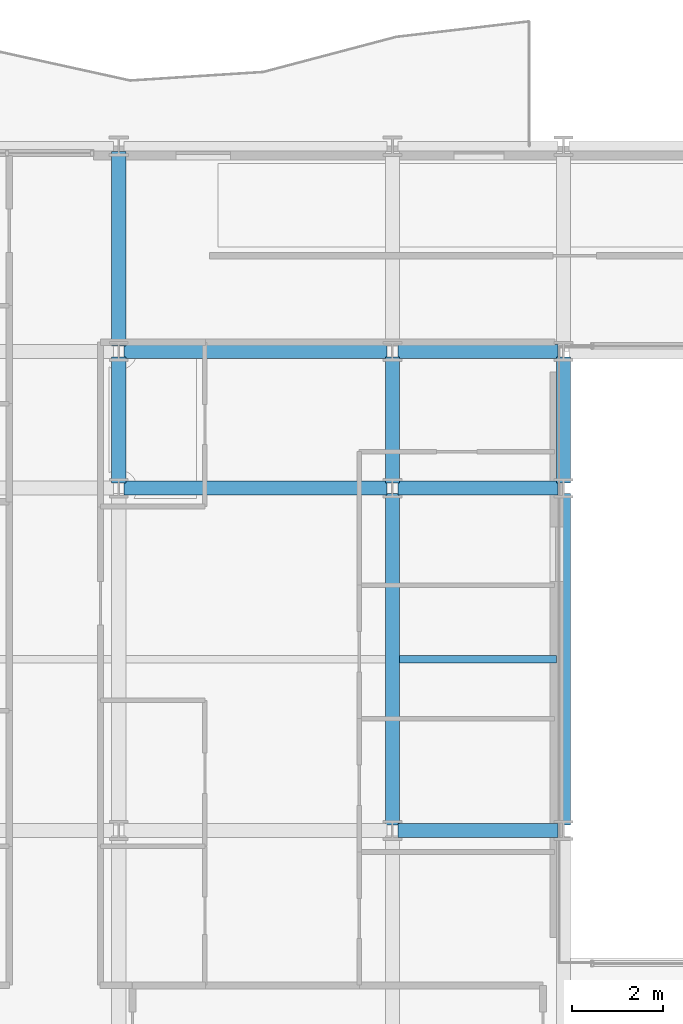
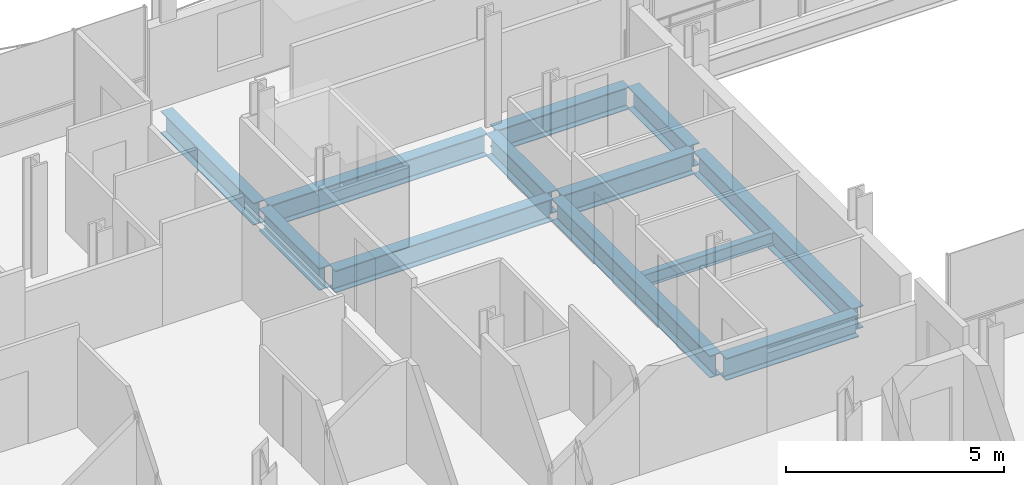
# One storey, part 8 of 41: 12 beams.
"""IFC4 building model written with IfcOpenShell, lengths in metres."""

from ifc_helpers import new_model, si_unit, direction, frame, origin, origin_2d, place, context, subcontext, project, spatial, i_section, extrude, material, material_profile, profile_set, type_object, element, save


model = new_model("IFC4")

# Units and contexts
model_context = context("Model", 3, precision=1e-05, world=origin(), true_north=direction((0.0, 1.0)))
body_context = subcontext(model_context, "Body", "Model", "MODEL_VIEW")
ifc_project = project(units=[si_unit("LENGTHUNIT", "METRE"), si_unit("AREAUNIT", "SQUARE_METRE"), si_unit("VOLUMEUNIT", "CUBIC_METRE"), si_unit("PLANEANGLEUNIT", "RADIAN"), si_unit("MASSUNIT", "GRAM", prefix="KILO")], contexts=[model_context])

# Site, building, storey
site_placement = place(None, origin())
site = spatial("IfcSite", under=ifc_project, at=site_placement, CompositionType="ELEMENT")
building_placement = place(site_placement, origin())
building = spatial("IfcBuilding", under=site, at=building_placement, Name="Brevholm Reach", CompositionType="ELEMENT")
storey_placement = place(building_placement, frame((0.0, 0.0, 74.5)))
storey = spatial("IfcBuildingStorey", under=building, at=storey_placement, Name="L21", CompositionType="ELEMENT", Elevation=74.5)

# Beams
ifc_material_1 = material(Name="Structural Steel S355J2", Category="steel")
ifc_material_profile_1 = material_profile(ifc_material_1, i_section(OverallWidth=0.17138671875, OverallDepth=0.35498046875, WebThickness=0.00732421875, FlangeThickness=0.011474609375, FilletRadius=0.01025390625, at=origin_2d()), Name="UKB 356x171x51")
ifc_profile_set_1 = profile_set([ifc_material_profile_1], Name="Structural Steel S355J2")
beam_type_1 = type_object("IfcBeamType", Name="BM-B356", PredefinedType="BEAM", material=ifc_profile_set_1)
beam_1_placement = place(storey_placement, frame((18.153564453125, 19.75, -0.407470703125), z_axis=(1.0, 0.0, 0.0), x_axis=(0.0, 1.0, 0.0)))
element("IfcBeam", 1, at=beam_1_placement, inside=storey, type_object=beam_type_1, Name="L21 Composite Secondary Floor Beam", PredefinedType="BEAM", context=body_context, shape_type="SweptSolid", body=[
    extrude(i_section(OverallWidth=0.17138671875, OverallDepth=0.35498046875, WebThickness=0.00732421875, FlangeThickness=0.011474609375, FilletRadius=0.01025390625, at=origin_2d()), origin(), (0.0, 0.0, 1.0), 3.44287109375),
])
ifc_material_2 = material(Name="Structural Steel S355J2", Category="steel")
ifc_material_profile_2 = material_profile(ifc_material_2, i_section(OverallWidth=0.30712890625, OverallDepth=0.6201171875, WebThickness=0.01416015625, FlangeThickness=0.023681640625, FilletRadius=0.0166015625, at=origin_2d()), Name="UKB 610x305x179")
ifc_profile_set_2 = profile_set([ifc_material_profile_2], Name="Structural Steel S355J2")
beam_type_2 = type_object("IfcBeamType", Name="BM-UKB610H", PredefinedType="USERDEFINED", material=ifc_profile_set_2)
beam_2_placement = place(storey_placement, frame((18.1201171875, 16.0, -0.5400390625), z_axis=(1.0, 0.0, 0.0), x_axis=(0.0, 1.0, 0.0)))
element("IfcBeam", 2, at=beam_2_placement, inside=storey, type_object=beam_type_2, Name="L21 G-06 Framing Beam", ObjectType="GIRDER", PredefinedType="USERDEFINED", context=body_context, shape_type="SweptSolid", body=[
    extrude(i_section(OverallWidth=0.30712890625, OverallDepth=0.6201171875, WebThickness=0.01416015625, FlangeThickness=0.023681640625, FilletRadius=0.0166015625, at=origin_2d()), origin(), (0.0, 0.0, 1.0), 3.509765625),
])
beam_3_placement = place(storey_placement, frame((12.1201171875, 23.5, -0.5400390625), z_axis=(1.0, 0.0, 0.0), x_axis=(0.0, 1.0, 0.0)))
element("IfcBeam", 3, at=beam_3_placement, inside=storey, type_object=beam_type_2, Name="L21 G-06 Framing Beam", ObjectType="GIRDER", PredefinedType="USERDEFINED", context=body_context, shape_type="SweptSolid", body=[
    extrude(i_section(OverallWidth=0.30712890625, OverallDepth=0.6201171875, WebThickness=0.01416015625, FlangeThickness=0.023681640625, FilletRadius=0.0166015625, at=origin_2d()), origin(), (0.0, 0.0, 1.0), 5.759765625),
])
beam_4_placement = place(storey_placement, frame((18.1201171875, 23.5, -0.5400390625), z_axis=(1.0, 0.0, 0.0), x_axis=(0.0, 1.0, 0.0)))
element("IfcBeam", 4, at=beam_4_placement, inside=storey, type_object=beam_type_2, Name="L21 G-06 Framing Beam", ObjectType="GIRDER", PredefinedType="USERDEFINED", context=body_context, shape_type="SweptSolid", body=[
    extrude(i_section(OverallWidth=0.30712890625, OverallDepth=0.6201171875, WebThickness=0.01416015625, FlangeThickness=0.023681640625, FilletRadius=0.0166015625, at=origin_2d()), origin(), (0.0, 0.0, 1.0), 3.509765625),
])
beam_5_placement = place(storey_placement, frame((12.1201171875, 26.5, -0.5400390625), z_axis=(1.0, 0.0, 0.0), x_axis=(0.0, 1.0, 0.0)))
element("IfcBeam", 5, at=beam_5_placement, inside=storey, type_object=beam_type_2, Name="L21 G-06 Framing Beam", ObjectType="GIRDER", PredefinedType="USERDEFINED", context=body_context, shape_type="SweptSolid", body=[
    extrude(i_section(OverallWidth=0.30712890625, OverallDepth=0.6201171875, WebThickness=0.01416015625, FlangeThickness=0.023681640625, FilletRadius=0.0166015625, at=origin_2d()), origin(), (0.0, 0.0, 1.0), 5.759765625),
])
beam_6_placement = place(storey_placement, frame((18.1201171875, 26.5, -0.5400390625), z_axis=(1.0, 0.0, 0.0), x_axis=(0.0, 1.0, 0.0)))
element("IfcBeam", 6, at=beam_6_placement, inside=storey, type_object=beam_type_2, Name="L21 G-06 Framing Beam", ObjectType="GIRDER", PredefinedType="USERDEFINED", context=body_context, shape_type="SweptSolid", body=[
    extrude(i_section(OverallWidth=0.30712890625, OverallDepth=0.6201171875, WebThickness=0.01416015625, FlangeThickness=0.023681640625, FilletRadius=0.0166015625, at=origin_2d()), origin(), (0.0, 0.0, 1.0), 3.509765625),
])
beam_7_placement = place(storey_placement, frame((12.0, 23.6201171875, -0.5400390625), z_axis=(0.0, 1.0, 0.0), x_axis=(-1.0, 0.0, 0.0)))
element("IfcBeam", 7, at=beam_7_placement, inside=storey, type_object=beam_type_2, Name="L21 G-06 Framing Beam", ObjectType="GIRDER", PredefinedType="USERDEFINED", context=body_context, shape_type="SweptSolid", body=[
    extrude(i_section(OverallWidth=0.30712890625, OverallDepth=0.6201171875, WebThickness=0.01416015625, FlangeThickness=0.023681640625, FilletRadius=0.0166015625, at=origin_2d()), origin(), (0.0, 0.0, 1.0), 2.759765625),
])
beam_8_placement = place(storey_placement, frame((12.0, 26.6201171875, -0.5400390625), z_axis=(0.0, 1.0, 0.0), x_axis=(-1.0, 0.0, 0.0)))
element("IfcBeam", 8, at=beam_8_placement, inside=storey, type_object=beam_type_2, Name="L21 G-06 Framing Beam", ObjectType="GIRDER", PredefinedType="USERDEFINED", context=body_context, shape_type="SweptSolid", body=[
    extrude(i_section(OverallWidth=0.30712890625, OverallDepth=0.6201171875, WebThickness=0.01416015625, FlangeThickness=0.023681640625, FilletRadius=0.0166015625, at=origin_2d()), origin(), (0.0, 0.0, 1.0), 4.259765625),
])
beam_9_placement = place(storey_placement, frame((18.0, 16.1201171875, -0.5400390625), z_axis=(0.0, 1.0, 0.0), x_axis=(-1.0, 0.0, 0.0)))
element("IfcBeam", 9, at=beam_9_placement, inside=storey, type_object=beam_type_2, Name="L21 G-06 Framing Beam", ObjectType="GIRDER", PredefinedType="USERDEFINED", context=body_context, shape_type="SweptSolid", body=[
    extrude(i_section(OverallWidth=0.30712890625, OverallDepth=0.6201171875, WebThickness=0.01416015625, FlangeThickness=0.023681640625, FilletRadius=0.0166015625, at=origin_2d()), origin(), (0.0, 0.0, 1.0), 7.259765625),
])
beam_10_placement = place(storey_placement, frame((18.0, 23.6201171875, -0.5400390625), z_axis=(0.0, 1.0, 0.0), x_axis=(-1.0, 0.0, 0.0)))
element("IfcBeam", 10, at=beam_10_placement, inside=storey, type_object=beam_type_2, Name="L21 G-06 Framing Beam", ObjectType="GIRDER", PredefinedType="USERDEFINED", context=body_context, shape_type="SweptSolid", body=[
    extrude(i_section(OverallWidth=0.30712890625, OverallDepth=0.6201171875, WebThickness=0.01416015625, FlangeThickness=0.023681640625, FilletRadius=0.0166015625, at=origin_2d()), origin(), (0.0, 0.0, 1.0), 2.759765625),
])
beam_11_placement = place(storey_placement, frame((21.75, 16.1201171875, -0.5400390625), z_axis=(0.0, 1.0, 0.0), x_axis=(-1.0, 0.0, 0.0)))
element("IfcBeam", 11, at=beam_11_placement, inside=storey, type_object=beam_type_2, Name="L21 G-06 Framing Beam", ObjectType="GIRDER", PredefinedType="USERDEFINED", context=body_context, shape_type="SweptSolid", body=[
    extrude(i_section(OverallWidth=0.30712890625, OverallDepth=0.6201171875, WebThickness=0.01416015625, FlangeThickness=0.023681640625, FilletRadius=0.0166015625, at=origin_2d()), origin(), (0.0, 0.0, 1.0), 7.259765625),
])
beam_12_placement = place(storey_placement, frame((21.75, 23.6201171875, -0.5400390625), z_axis=(0.0, 1.0, 0.0), x_axis=(-1.0, 0.0, 0.0)))
element("IfcBeam", 12, at=beam_12_placement, inside=storey, type_object=beam_type_2, Name="L21 G-06 Framing Beam", ObjectType="GIRDER", PredefinedType="USERDEFINED", context=body_context, shape_type="SweptSolid", body=[
    extrude(i_section(OverallWidth=0.30712890625, OverallDepth=0.6201171875, WebThickness=0.01416015625, FlangeThickness=0.023681640625, FilletRadius=0.0166015625, at=origin_2d()), origin(), (0.0, 0.0, 1.0), 2.759765625),
])

save(model, "model.ifc")
